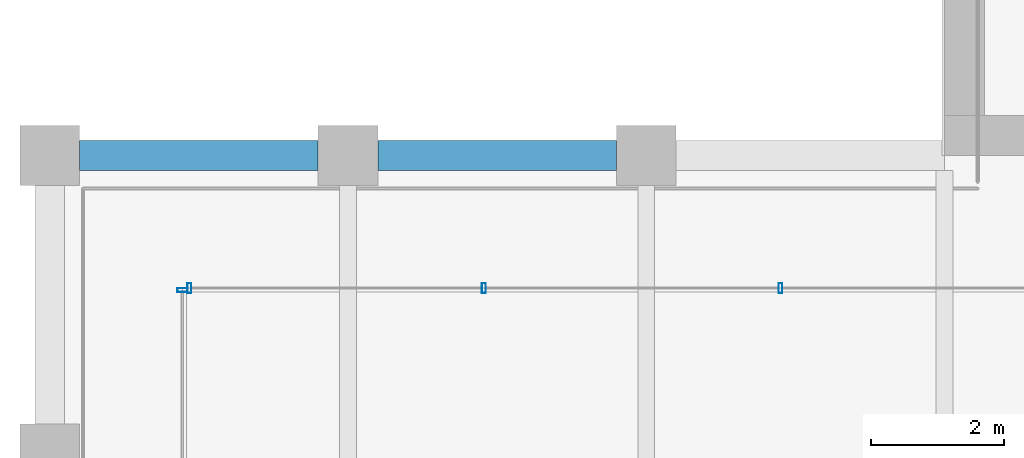
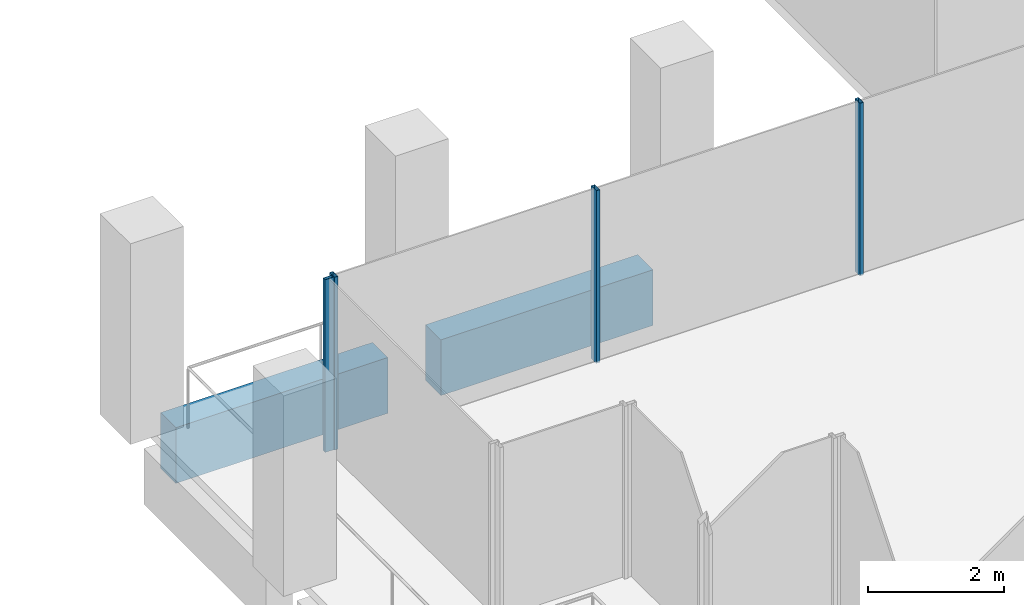
# One storey, part 5 of 40: 4 members, 2 beams, 2 elements without a shape of their own.
"""IFC4 building model written with IfcOpenShell, lengths in metres."""

from ifc_helpers import new_model, si_unit, direction, frame, origin, origin_2d, place, context, subcontext, project, spatial, rectangle, hollow_rectangle, extrude, material, material_profile, profile_set, type_object, element, aggregate, save


model = new_model("IFC4")

# Units and contexts
model_context = context("Model", 3, precision=1e-05, world=origin(), true_north=direction((0.0, 1.0)))
body_context = subcontext(model_context, "Body", "Model", "MODEL_VIEW")
ifc_project = project(units=[si_unit("LENGTHUNIT", "METRE"), si_unit("AREAUNIT", "SQUARE_METRE"), si_unit("VOLUMEUNIT", "CUBIC_METRE"), si_unit("PLANEANGLEUNIT", "RADIAN"), si_unit("MASSUNIT", "GRAM", prefix="KILO")], contexts=[model_context])

# Site, building, storey
site_placement = place(None, origin())
site = spatial("IfcSite", under=ifc_project, at=site_placement, CompositionType="ELEMENT")
building_placement = place(site_placement, origin())
building = spatial("IfcBuilding", under=site, at=building_placement, Name="Altepetl Exchange Towers", CompositionType="ELEMENT")
storey_placement = place(building_placement, frame((0.0, 0.0, 158.199951171875)))
storey = spatial("IfcBuildingStorey", under=building, at=storey_placement, Name="L39", CompositionType="ELEMENT", Elevation=158.199951171875)

# Curtain wall, members
ifc_material_1 = material(Name="Aluminium 6063-T6 glazing", Category="aluminium")
curtain_wall_type = type_object("IfcCurtainWallType", Name="Loggia glazing system", PredefinedType="NOTDEFINED", material=ifc_material_1)
curtain_wall_1_placement = place(storey_placement, origin())
curtain_wall_1 = element("IfcCurtainWall", 1, at=curtain_wall_1_placement, inside=storey, type_object=curtain_wall_type, Name="CW1 run", PredefinedType="NOTDEFINED")
ifc_material_2 = material(Name="Aluminium 6063-T6", Category="aluminium")
ifc_material_profile_1 = material_profile(ifc_material_2, hollow_rectangle(XDim=0.06005859375, YDim=0.14990234375, WallThickness=0.0029296875, at=origin_2d()), Name="Mullion 60x150 aluminium")
ifc_profile_set_1 = profile_set([ifc_material_profile_1], Name="Aluminium 6063-T6")
member_type = type_object("IfcMemberType", Name="Mullion 60x150 aluminium", PredefinedType="MULLION", material=ifc_profile_set_1)
member_1_placement = place(storey_placement, frame((38.02490234375, 38.5, 0.0), z_axis=(0.0, 0.0, 1.0), x_axis=(-1.0, 0.0, 0.0)))
member_1 = element("IfcMember", 2, at=member_1_placement, type_object=member_type, Name="MU1 mullion", PredefinedType="MULLION", context=body_context, shape_type="SweptSolid", body=[
    extrude(hollow_rectangle(XDim=0.06005859375, YDim=0.14990234375, WallThickness=0.0029296875, at=origin_2d()), origin(), (0.0, 0.0, 1.0), 3.10009765625),
])
member_2_placement = place(storey_placement, frame((33.550048828125, 38.5, 0.0), z_axis=(0.0, 0.0, 1.0), x_axis=(-1.0, 0.0, 0.0)))
member_2 = element("IfcMember", 3, at=member_2_placement, type_object=member_type, Name="MU1 mullion", PredefinedType="MULLION", context=body_context, shape_type="SweptSolid", body=[
    extrude(hollow_rectangle(XDim=0.06005859375, YDim=0.14990234375, WallThickness=0.0029296875, at=origin_2d()), origin(), (0.0, 0.0, 1.0), 3.10009765625),
])
member_3_placement = place(storey_placement, frame((29.10498046875, 38.5, 0.0), z_axis=(0.0, 0.0, 1.0), x_axis=(-1.0, 0.0, 0.0)))
member_3 = element("IfcMember", 4, at=member_3_placement, type_object=member_type, Name="MU1 mullion", PredefinedType="MULLION", context=body_context, shape_type="SweptSolid", body=[
    extrude(hollow_rectangle(XDim=0.06005859375, YDim=0.14990234375, WallThickness=0.0029296875, at=origin_2d()), origin(), (0.0, 0.0, 1.0), 3.10009765625),
])
aggregate(curtain_wall_1, [member_1, member_2, member_3])

# Curtain wall, member
curtain_wall_2_placement = place(storey_placement, origin())
curtain_wall_2 = element("IfcCurtainWall", 5, at=curtain_wall_2_placement, inside=storey, type_object=curtain_wall_type, Name="CW1 run", PredefinedType="NOTDEFINED")
member_4_placement = place(storey_placement, frame((29.0, 38.469970703125, 0.0), z_axis=(0.0, 0.0, 1.0), x_axis=(0.0, -1.0, 0.0)))
member_4 = element("IfcMember", 6, at=member_4_placement, type_object=member_type, Name="MU1 mullion", PredefinedType="MULLION", context=body_context, shape_type="SweptSolid", body=[
    extrude(hollow_rectangle(XDim=0.06005859375, YDim=0.14990234375, WallThickness=0.0029296875, at=origin_2d()), origin(), (0.0, 0.0, 1.0), 3.10009765625),
])
aggregate(curtain_wall_2, [member_4])

# Beams
ifc_material_3 = material(Name="Concrete C50/60 precast with tezontle facing", Category="concrete")
ifc_material_profile_2 = material_profile(ifc_material_3, rectangle(XDim=0.449951171875, YDim=1.0, at=origin_2d()), Name="450 x 1000")
ifc_profile_set_2 = profile_set([ifc_material_profile_2], Name="Concrete C50/60 precast with tezontle facing")
beam_type = type_object("IfcBeamType", Name="Spandrel beam 450x1000 tezontle", PredefinedType="SPANDREL", material=ifc_profile_set_2)
for number, where, z_axis, x_axis, name in (
    (7, (35.550048828125, 40.5, -0.64990234375), (-1.0, 0.0, 0.0), (0.0, -1.0, 0.0), "sp:A:L39:034"),
    (8, (31.050048828125, 40.5, -0.64990234375), (-1.0, 0.0, 0.0), (0.0, -1.0, 0.0), "sp:A:L39:035"),
):
    element("IfcBeam", number, at=place(storey_placement, frame(where, z_axis=z_axis, x_axis=x_axis)), inside=storey, type_object=beam_type, Name=name, PredefinedType="SPANDREL", context=body_context, shape_type="SweptSolid", body=[
        extrude(rectangle(XDim=0.449951171875, YDim=1.0, at=origin_2d()), origin(), (0.0, 0.0, 1.0), 3.60009765625),
    ])

save(model, "model.ifc")
